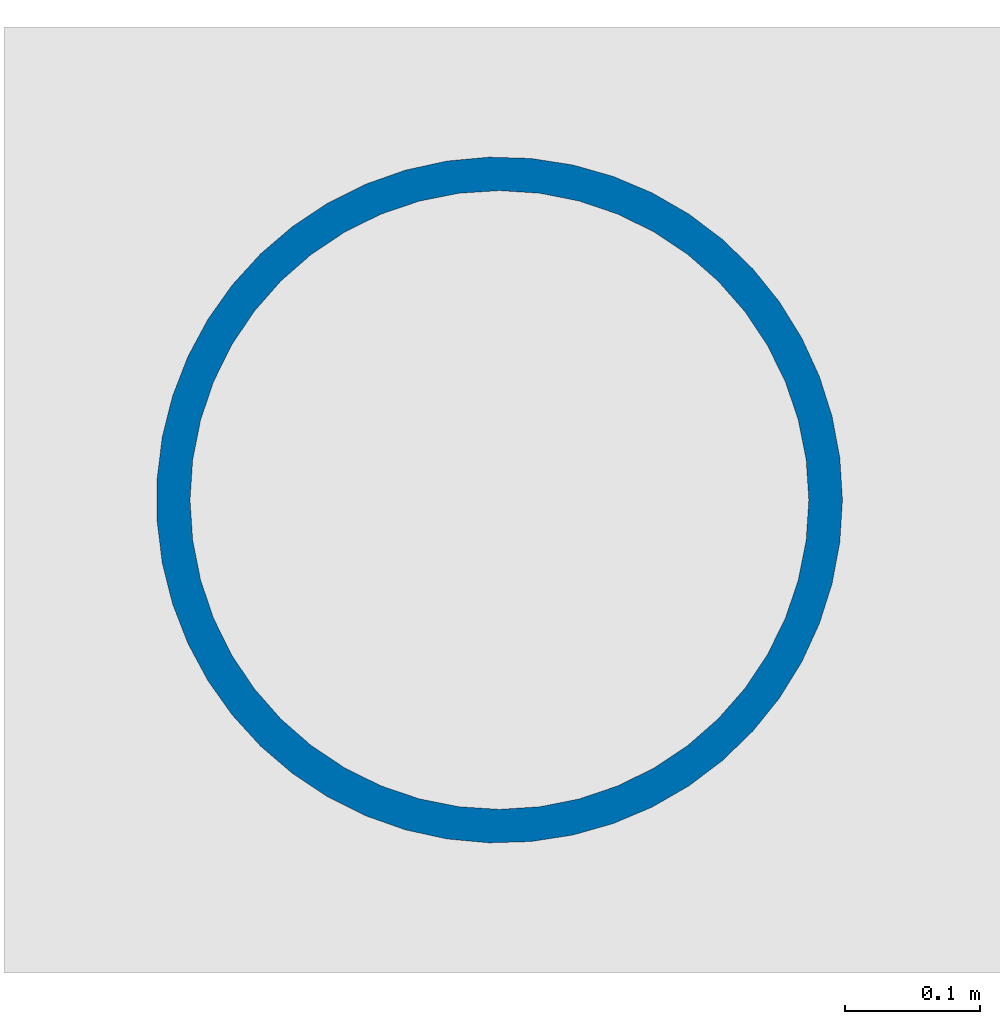
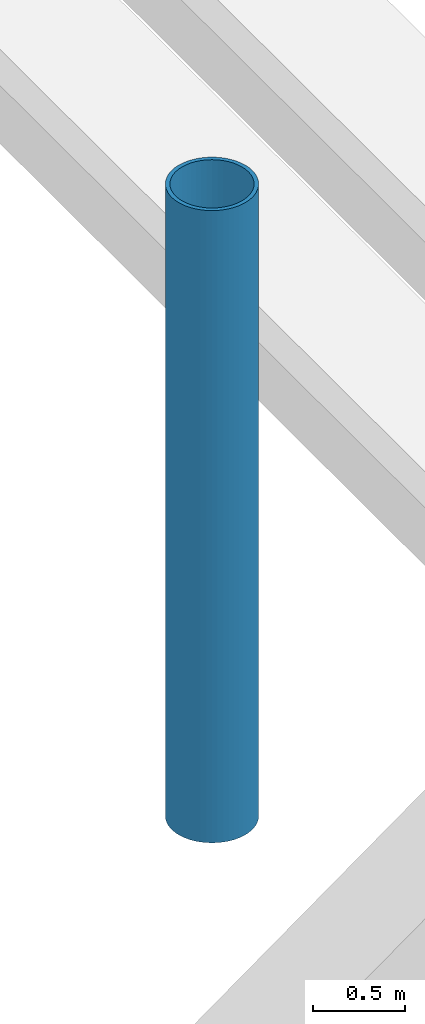
# One storey, part 3 of 118: 1 column.
"""IFC4 building model written with IfcOpenShell, lengths in metres."""

from ifc_helpers import new_model, si_unit, direction, frame, origin, origin_2d, place, context, subcontext, project, spatial, hollow_circle, extrude, material, material_profile, profile_set, type_object, element, save


model = new_model("IFC4")

# Units and contexts
model_context = context("Model", 3, precision=1e-05, world=origin(), true_north=direction((0.0, 1.0)))
body_context = subcontext(model_context, "Body", "Model", "MODEL_VIEW")
ifc_project = project(units=[si_unit("LENGTHUNIT", "METRE"), si_unit("AREAUNIT", "SQUARE_METRE"), si_unit("VOLUMEUNIT", "CUBIC_METRE"), si_unit("PLANEANGLEUNIT", "RADIAN"), si_unit("MASSUNIT", "GRAM", prefix="KILO")], contexts=[model_context])

# Site, building, storey
site_placement = place(None, origin())
site = spatial("IfcSite", under=ifc_project, at=site_placement, CompositionType="ELEMENT")
building_placement = place(site_placement, origin())
building = spatial("IfcBuilding", under=site, at=building_placement, Name="Haebicheon Civic Stadium", CompositionType="ELEMENT")
storey_placement = place(building_placement, frame((0.0, 0.0, 14.39990234375)))
storey = spatial("IfcBuildingStorey", under=building, at=storey_placement, Name="L04", CompositionType="ELEMENT", Elevation=14.39990234375)

# Column
ifc_material = material(Name="White painted steel SM490", Category="steel")
ifc_material_profile = material_profile(ifc_material, hollow_circle(Radius=0.25390625, WallThickness=0.02490234375, at=origin_2d()), Name="CHS-508.0x25.0")
ifc_profile_set = profile_set([ifc_material_profile], Name="White painted steel SM490")
column_type = type_object("IfcColumnType", Name="COL-ST-CHS508", PredefinedType="COLUMN", material=ifc_profile_set)
column_placement = place(storey_placement, frame((136.0, 56.0, 0.0), z_axis=(0.0, 0.0, 1.0), x_axis=(1.0, 0.0, 0.0)))
element("IfcColumn", 1, at=column_placement, inside=storey, type_object=column_type, material=ifc_profile_set, Name="Bowl/canopy support column 136/56 (L04)", PredefinedType="COLUMN", context=body_context, shape_type="SweptSolid", body=[
    extrude(hollow_circle(Radius=0.25390625, WallThickness=0.02490234375, at=origin_2d()), origin(), (0.0, 0.0, 1.0), 4.2001953125),
])

save(model, "model.ifc")
